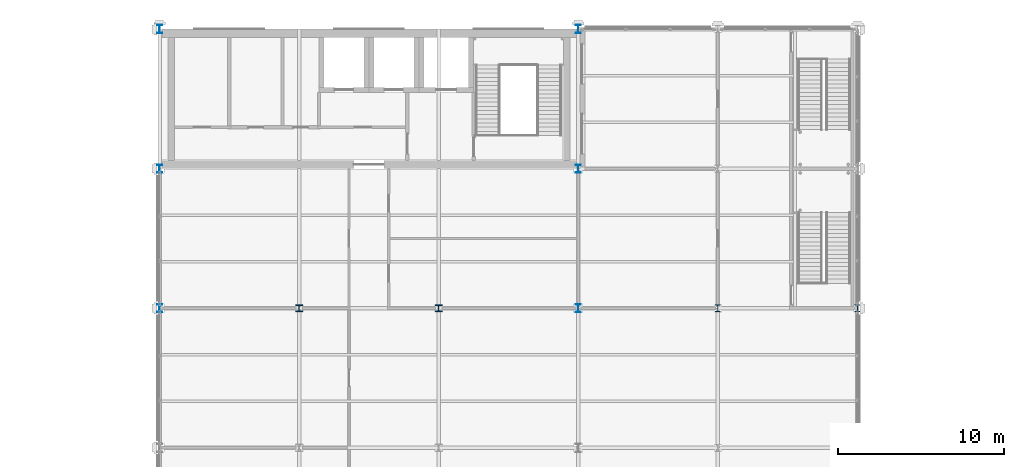
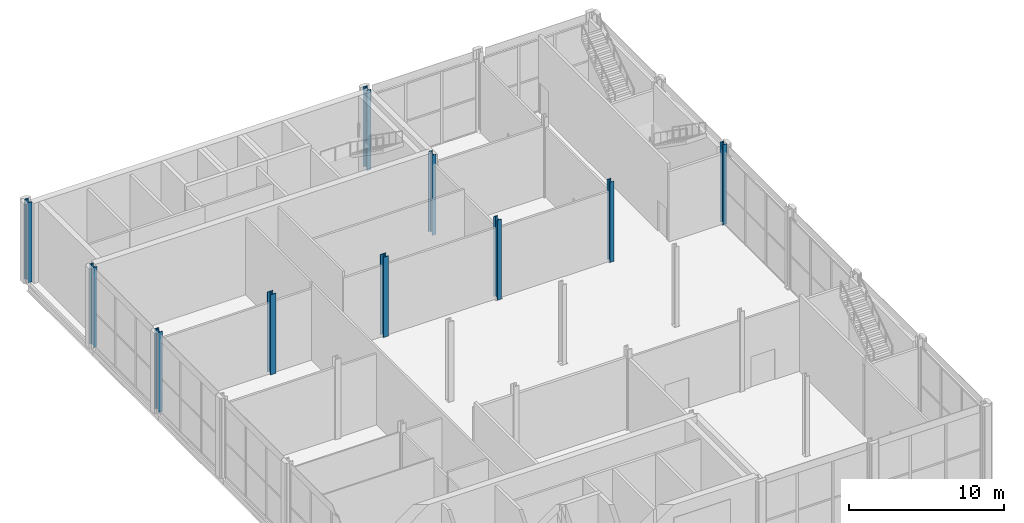
# One storey, part 4 of 77: 10 columns.
"""IFC4 building model written with IfcOpenShell, lengths in metres."""

from ifc_helpers import new_model, si_unit, direction, frame, origin, origin_2d, place, context, subcontext, project, spatial, i_section, extrude, material, material_profile, profile_set, type_object, element, save


model = new_model("IFC4")

# Units and contexts
model_context = context("Model", 3, precision=1e-05, world=origin(), true_north=direction((0.0, 1.0)))
body_context = subcontext(model_context, "Body", "Model", "MODEL_VIEW")
ifc_project = project(units=[si_unit("LENGTHUNIT", "METRE"), si_unit("AREAUNIT", "SQUARE_METRE"), si_unit("VOLUMEUNIT", "CUBIC_METRE"), si_unit("PLANEANGLEUNIT", "RADIAN"), si_unit("MASSUNIT", "GRAM", prefix="KILO")], contexts=[model_context])

# Site, building, storey
site_placement = place(None, origin())
site = spatial("IfcSite", under=ifc_project, at=site_placement, CompositionType="ELEMENT")
building_placement = place(site_placement, origin())
building = spatial("IfcBuilding", under=site, at=building_placement, Name="Catenary Quay Ferry Terminal", CompositionType="ELEMENT")
storey_placement = place(building_placement, frame((0.0, 0.0, 10.800048828125)))
storey = spatial("IfcBuildingStorey", under=building, at=storey_placement, Name="L02", CompositionType="ELEMENT", Elevation=10.800048828125)

# Columns
ifc_material_1 = material(Name="Steel S355", Category="steel")
ifc_material_profile_1 = material_profile(ifc_material_1, i_section(OverallWidth=0.300048828125, OverallDepth=0.5, WebThickness=0.014404296875, FlangeThickness=0.028076171875, at=origin_2d()), Name="HEB 500")
ifc_profile_set_1 = profile_set([ifc_material_profile_1], Name="Steel S355")
column_type_1 = type_object("IfcColumnType", Name="C1 HEB 500", PredefinedType="COLUMN", material=ifc_profile_set_1)
for number, where, z_axis, x_axis, name in (
    (1, (25.199951171875, 201.60009765625, 0.0), (0.0, 0.0, 1.0), (1.0, 0.0, 0.0), "Column C-D25 L02"),
    (2, (25.199951171875, 210.0, 0.0), (0.0, 0.0, 1.0), (1.0, 0.0, 0.0), "Column C-D26 L02"),
    (3, (50.39990234375, 201.60009765625, 0.0), (0.0, 0.0, 1.0), (1.0, 0.0, 0.0), "Column C-G25 L02"),
    (4, (50.39990234375, 210.0, 0.0), (0.0, 0.0, 1.0), (1.0, 0.0, 0.0), "Column C-G26 L02"),
    (5, (25.199951171875, 193.199951171875, 0.0), (0.0, 0.0, 1.0), (1.0, 0.0, 0.0), "Column C-D24 L02"),
    (6, (50.39990234375, 193.199951171875, 0.0), (0.0, 0.0, 1.0), (1.0, 0.0, 0.0), "Column C-G24 L02"),
):
    element("IfcColumn", number, at=place(storey_placement, frame(where, z_axis=z_axis, x_axis=x_axis)), inside=storey, type_object=column_type_1, Name=name, PredefinedType="COLUMN", context=body_context, shape_type="SweptSolid", body=[
        extrude(i_section(OverallWidth=0.300048828125, OverallDepth=0.5, WebThickness=0.014404296875, FlangeThickness=0.028076171875, at=origin_2d()), origin(), (0.0, 0.0, 1.0), 6.300048828125),
    ])
ifc_material_2 = material(Name="Steel S355", Category="steel")
ifc_material_profile_2 = material_profile(ifc_material_2, i_section(OverallWidth=0.300048828125, OverallDepth=0.39990234375, WebThickness=0.013427734375, FlangeThickness=0.02392578125, at=origin_2d()), Name="HEB 400")
ifc_profile_set_2 = profile_set([ifc_material_profile_2], Name="Steel S355")
column_type_2 = type_object("IfcColumnType", Name="C2 HEB 400", PredefinedType="COLUMN", material=ifc_profile_set_2)
for number, where, z_axis, x_axis, name in (
    (7, (58.800048828125, 193.199951171875, 0.0), (0.0, 0.0, 1.0), (1.0, 0.0, 0.0), "Column C-H24 L02"),
    (8, (67.199951171875, 193.199951171875, 0.0), (0.0, 0.0, 1.0), (1.0, 0.0, 0.0), "Column C-I24 L02"),
):
    element("IfcColumn", number, at=place(storey_placement, frame(where, z_axis=z_axis, x_axis=x_axis)), inside=storey, type_object=column_type_2, Name=name, PredefinedType="COLUMN", context=body_context, shape_type="SweptSolid", body=[
        extrude(i_section(OverallWidth=0.300048828125, OverallDepth=0.39990234375, WebThickness=0.013427734375, FlangeThickness=0.02392578125, at=origin_2d()), origin(), (0.0, 0.0, 1.0), 6.300048828125),
    ])
ifc_material_3 = material(Name="Steel S355", Category="steel")
ifc_material_profile_3 = material_profile(ifc_material_3, i_section(OverallWidth=0.404052734375, OverallDepth=0.406982421875, WebThickness=0.027099609375, FlangeThickness=0.043701171875, at=origin_2d()), Name="HD 400x347")
ifc_profile_set_3 = profile_set([ifc_material_profile_3], Name="Steel S355")
column_type_3 = type_object("IfcColumnType", Name="C9 HD 400x347", PredefinedType="COLUMN", material=ifc_profile_set_3)
for number, where, z_axis, x_axis, name in (
    (9, (33.60009765625, 193.199951171875, 0.0), (0.0, 0.0, 1.0), (1.0, 0.0, 0.0), "Column C-E24 L02"),
    (10, (42.0, 193.199951171875, 0.0), (0.0, 0.0, 1.0), (1.0, 0.0, 0.0), "Column C-F24 L02"),
):
    element("IfcColumn", number, at=place(storey_placement, frame(where, z_axis=z_axis, x_axis=x_axis)), inside=storey, type_object=column_type_3, Name=name, PredefinedType="COLUMN", context=body_context, shape_type="SweptSolid", body=[
        extrude(i_section(OverallWidth=0.404052734375, OverallDepth=0.406982421875, WebThickness=0.027099609375, FlangeThickness=0.043701171875, at=origin_2d()), origin(), (0.0, 0.0, 1.0), 6.300048828125),
    ])

save(model, "model.ifc")
